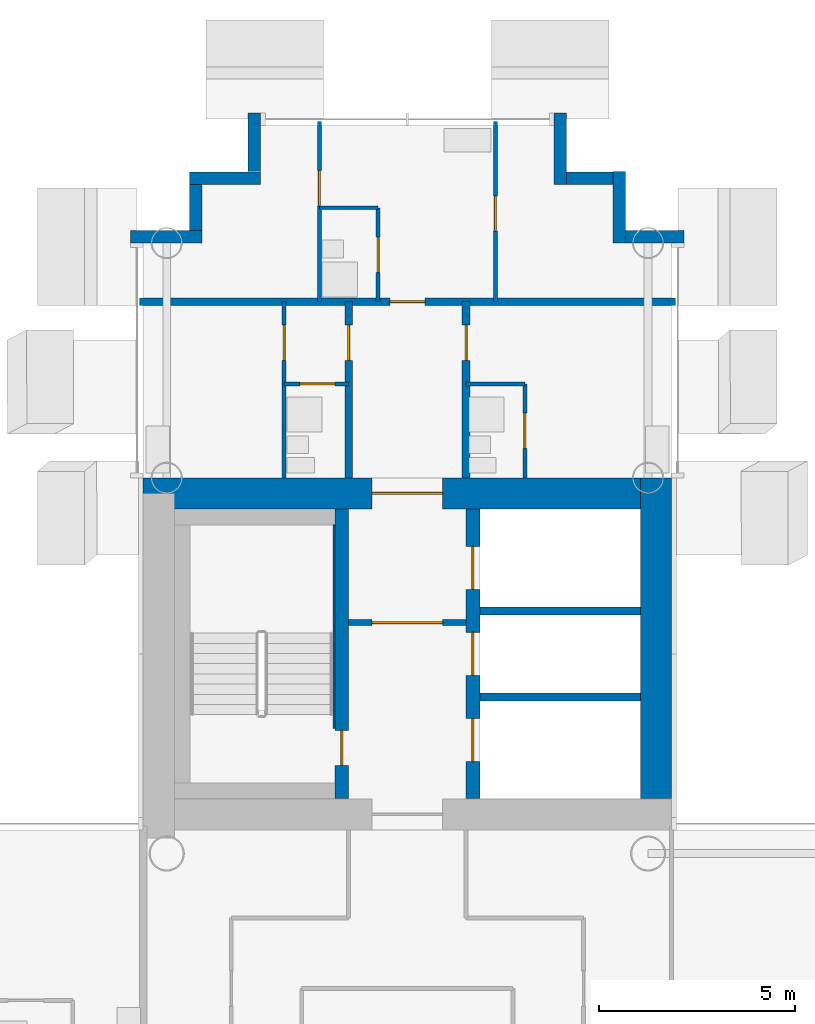
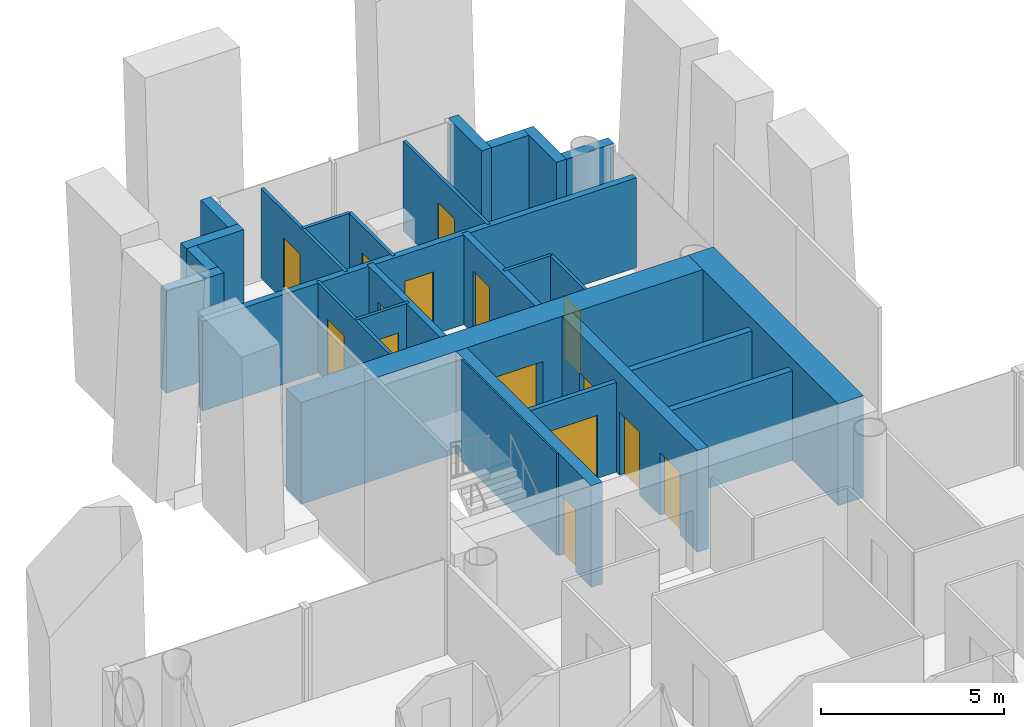
# One storey, part 11 of 18: 27 walls, 15 doors, 15 openings.
"""IFC4 building model written with IfcOpenShell, lengths in metres."""

import ifcopenshell
import ifcopenshell.guid

model = None  # the IFC model being written
_history = None  # IfcOwnerHistory: only IFC2X3 demands one
_inside = {}  # id of a spatial element -> (the spatial element, [elements in it])
_under = {}  # id of a project, library or spatial element -> (it, [spatial elements below it])
_declared = {}  # id of a project -> (the project, [libraries it declares])
_typed = {}  # id of a type object -> (the type object, [elements of that type])
_made_of = {}  # id of a material, layer set ... -> (it, [elements and type objects made of it])


def new_model(schema):
    """Start an empty IFC model of exactly this schema.

    Asked for "IFC4X3", IfcOpenShell would pick the latest addendum, in which some entities
    have other attributes; the version numbers below select the first issue.
    IFC2X3 requires an IfcOwnerHistory on every rooted entity: one is made here for all.
    """
    global model, _history
    if schema == "IFC4X3":
        model = ifcopenshell.file(schema_version=(4, 3, 0, 0))
    else:
        model = ifcopenshell.file(schema=schema)
    _inside.clear()
    _under.clear()
    _declared.clear()
    _typed.clear()
    _made_of.clear()
    _history = None
    if model.schema == "IFC2X3":
        org = make("IfcOrganization", Name="unknown")
        user = make(
            "IfcPersonAndOrganization",
            ThePerson=make("IfcPerson", FamilyName="unknown"),
            TheOrganization=org,
        )
        app = make(
            "IfcApplication",
            ApplicationDeveloper=org,
            Version="unknown",
            ApplicationFullName="unknown",
            ApplicationIdentifier="unknown",
        )
        _history = make(
            "IfcOwnerHistory",
            OwningUser=user,
            OwningApplication=app,
            ChangeAction="ADDED",
            CreationDate=0,
        )
    return model


def make(cls, **values):
    """One entity of the class cls with the attributes given. An attribute that is None is left unset."""
    return model.create_entity(
        cls, **{name: value for name, value in values.items() if value is not None}
    )


def rooted(cls, **values):
    """An entity with a GlobalId (a new one), such as an element, a storey or a relation."""
    return make(cls, GlobalId=ifcopenshell.guid.new(), OwnerHistory=_history, **values)


def si_unit(unit_type, name, prefix=None):
    """IfcSIUnit, for example si_unit("LENGTHUNIT", "METRE", prefix="MILLI")."""
    return make("IfcSIUnit", UnitType=unit_type, Prefix=prefix, Name=name)


def assignment(units):
    """IfcUnitAssignment: the units of a project."""
    return None if units is None else make("IfcUnitAssignment", Units=units)


def point(xyz):
    """IfcCartesianPoint."""
    return None if xyz is None else make("IfcCartesianPoint", Coordinates=xyz)


def direction(xyz):
    """IfcDirection."""
    return None if xyz is None else make("IfcDirection", DirectionRatios=xyz)


def frame(location, z_axis=None, x_axis=None):
    """IfcAxis2Placement3D, a coordinate frame: its origin and axes. An axis left out is left unset."""
    return make(
        "IfcAxis2Placement3D",
        Location=point(location),
        Axis=direction(z_axis),
        RefDirection=direction(x_axis),
    )


def frame_2d(location, x_axis=None):
    """IfcAxis2Placement2D, a coordinate frame in the plane: its origin and x axis."""
    return make(
        "IfcAxis2Placement2D", Location=point(location), RefDirection=direction(x_axis)
    )


def origin():
    """The frame at (0, 0, 0) with its axes left unset."""
    return frame((0.0, 0.0, 0.0))


def place(relative_to, where):
    """IfcLocalPlacement: puts the frame where relative to a parent placement (None: the world)."""
    return make(
        "IfcLocalPlacement", PlacementRelTo=relative_to, RelativePlacement=where
    )


def context(
    kind, dimensions, precision=None, world=None, true_north=None, identifier=None
):
    """IfcGeometricRepresentationContext, for example the 3D "Model" context."""
    return make(
        "IfcGeometricRepresentationContext",
        ContextIdentifier=identifier,
        ContextType=kind,
        CoordinateSpaceDimension=dimensions,
        Precision=precision,
        WorldCoordinateSystem=world,
        TrueNorth=true_north,
    )


def subcontext(parent, identifier, kind, view, scale=None):
    """IfcGeometricRepresentationSubContext, for example "Body" below "Model"."""
    return make(
        "IfcGeometricRepresentationSubContext",
        ContextIdentifier=identifier,
        ContextType=kind,
        ParentContext=parent,
        TargetScale=scale,
        TargetView=view,
    )


def project(units=None, contexts=None):
    """IfcProject with its units and contexts."""
    return rooted(
        "IfcProject",
        Name="project",
        RepresentationContexts=contexts,
        UnitsInContext=assignment(units),
    )


def spatial(cls, under=None, at=None, **own):
    """A site, building, storey or space (cls), placed at a placement, below another one or the project."""
    s = rooted(cls, ObjectPlacement=at, **own)
    if under is not None:
        _under.setdefault(under.id(), (under, []))[1].append(s)
    return s


def profile(cls, at=None, kind="AREA", **sizes):
    """A parametric profile (cls). Its sizes go by their IFC names, for example OverallWidth=200.0."""
    return make(cls, ProfileType=kind, Position=at, **sizes)


def rectangle(**sizes):
    """IfcRectangleProfileDef."""
    return profile("IfcRectangleProfileDef", **sizes)


def extrude(swept, where, along, depth):
    """IfcExtrudedAreaSolid: the profile swept, set in the frame where, extruded along a direction by depth."""
    return make(
        "IfcExtrudedAreaSolid",
        SweptArea=swept,
        Position=where,
        ExtrudedDirection=direction(along),
        Depth=depth,
    )


def shape(context_of_items, identifier, shape_type, items):
    """IfcShapeRepresentation: the items that make up one representation, for example the "Body"."""
    return make(
        "IfcShapeRepresentation",
        ContextOfItems=context_of_items,
        RepresentationIdentifier=identifier,
        RepresentationType=shape_type,
        Items=items,
    )


def material(Name=None, Category=None):
    """IfcMaterial."""
    return make("IfcMaterial", Name=Name, Category=Category)


def layer(
    of_material, thickness, ventilated=None, Name=None, Category=None, Priority=None
):
    """IfcMaterialLayer: one layer of a wall or slab, of a material (None: an air gap)."""
    return make(
        "IfcMaterialLayer",
        Material=of_material,
        LayerThickness=thickness,
        IsVentilated=ventilated,
        Name=Name,
        Category=Category,
        Priority=Priority,
    )


def layer_set(layers, Name=None):
    """IfcMaterialLayerSet."""
    return make("IfcMaterialLayerSet", MaterialLayers=layers, LayerSetName=Name)


def made_of(thing, what):
    """Note that an element or type object is made of a material, layer set ...; save() writes the relation."""
    if what is not None:
        _made_of.setdefault(what.id(), (what, []))[1].append(thing)
    return thing


def type_object(cls, material=None, **own):
    """A type object (cls), such as IfcWallType, which elements share."""
    return made_of(rooted(cls, **own), material)


def element(
    cls,
    number,
    at=None,
    inside=None,
    cuts=None,
    type_object=None,
    material=None,
    context=None,
    identifier="Body",
    shape_type=None,
    held_by="IfcProductDefinitionShape",
    body=None,
    shapes=None,
    **own,
):
    """One element of the class cls, such as IfcWall. Its Tag is "e" and its number.

    at: its placement. inside: the storey or other place that contains it. cuts: it is an
    opening in that element (IfcRelVoidsElement). A single representation is given by context,
    identifier, shape_type and body (its items); several are given by shapes. held_by: the class
    of the entity that holds the representations. save() writes the other relations.
    """
    e = rooted(cls, Tag="e%d" % number, ObjectPlacement=at, **own)
    if body is not None:
        shapes = [shape(context, identifier, shape_type, body)]
    if shapes is not None:
        e.Representation = make(held_by, Representations=shapes)
    if inside is not None:
        _inside.setdefault(inside.id(), (inside, []))[1].append(e)
    if cuts is not None:
        rooted(
            "IfcRelVoidsElement", RelatingBuildingElement=cuts, RelatedOpeningElement=e
        )
    if type_object is not None:
        _typed.setdefault(type_object.id(), (type_object, []))[1].append(e)
    return made_of(e, material)


def fill(opening, filler):
    """IfcRelFillsElement: the door or window that sits in an opening."""
    return rooted(
        "IfcRelFillsElement",
        RelatingOpeningElement=opening,
        RelatedBuildingElement=filler,
    )


def aggregate(whole, parts):
    """IfcRelAggregates: a whole, such as a stair, and the parts it consists of."""
    return rooted("IfcRelAggregates", RelatingObject=whole, RelatedObjects=parts)


def save(model, path):
    """Write the relations noted so far, then the file.

    IfcRelAggregates (storeys below a building ...), IfcRelContainedInSpatialStructure (elements
    in a storey), IfcRelDefinesByType, IfcRelAssociatesMaterial and IfcRelDeclares: one each for
    every whole, place, type object, material and project.
    """
    for whole, parts in _under.values():
        aggregate(whole, parts)
    for where, things in _inside.values():
        rooted(
            "IfcRelContainedInSpatialStructure",
            RelatedElements=things,
            RelatingStructure=where,
        )
    for kind, things in _typed.values():
        rooted("IfcRelDefinesByType", RelatedObjects=things, RelatingType=kind)
    for what, things in _made_of.values():
        rooted("IfcRelAssociatesMaterial", RelatedObjects=things, RelatingMaterial=what)
    for by, libraries in _declared.values():
        rooted("IfcRelDeclares", RelatingContext=by, RelatedDefinitions=libraries)
    model.write(path)


model = new_model("IFC4")

# Units and contexts
model_context = context("Model", 3, precision=1e-05, world=origin(), true_north=direction((0.0, 1.0)))
body_context = subcontext(model_context, "Body", "Model", "MODEL_VIEW")
ifc_project = project(units=[si_unit("LENGTHUNIT", "METRE"), si_unit("AREAUNIT", "SQUARE_METRE"), si_unit("VOLUMEUNIT", "CUBIC_METRE"), si_unit("PLANEANGLEUNIT", "RADIAN"), si_unit("MASSUNIT", "GRAM", prefix="KILO")], contexts=[model_context])

# Site, building, storey
site_placement = place(None, origin())
site = spatial("IfcSite", under=ifc_project, at=site_placement, CompositionType="ELEMENT")
building_placement = place(site_placement, origin())
building = spatial("IfcBuilding", under=site, at=building_placement, Name="Ipe Terrace Towers", CompositionType="ELEMENT")
storey_placement = place(building_placement, frame((0.0, 0.0, 171.10009765625)))
storey = spatial("IfcBuildingStorey", under=building, at=storey_placement, Name="L47", CompositionType="ELEMENT", Elevation=171.10009765625)

# Walls
ifc_material_1 = material(Name="Concrete C40/50 with buff precast cladding", Category="concrete")
ifc_layer_1 = layer(ifc_material_1, 0.320068359375)
ifc_layer_set_1 = layer_set([ifc_layer_1], Name="BUFF CLADDING WALL 320")
wall_type_1 = type_object("IfcWallType", Name="BUFF CLADDING WALL 320", PredefinedType="STANDARD", material=ifc_layer_set_1)
wall_1_placement = place(storey_placement, frame((43.070068359375, 21.909912109375, -0.300048828125), z_axis=(0.0, 0.0, 1.0), x_axis=(-1.0, 0.0, 0.0)))
element("IfcWall", 1, at=wall_1_placement, inside=storey, type_object=wall_type_1, Name="T2-W-L47-17a wall", PredefinedType="STANDARD", context=body_context, shape_type="SweptSolid", body=[
    extrude(rectangle(XDim=1.5, YDim=0.320068359375, at=frame_2d((0.75, 0.0))), origin(), (0.0, 0.0, 1.0), 3.39990234375),
])
wall_2_placement = place(storey_placement, frame((41.409912109375, 21.75, -0.300048828125), z_axis=(0.0, 0.0, 1.0), x_axis=(0.0, 1.0, 0.0)))
element("IfcWall", 2, at=wall_2_placement, inside=storey, type_object=wall_type_1, Name="T2-W-L47-18a wall", PredefinedType="STANDARD", context=body_context, shape_type="SweptSolid", body=[
    extrude(rectangle(XDim=1.820068359375, YDim=0.320068359375, at=frame_2d((0.91015625, 0.0))), origin(), (0.0, 0.0, 1.0), 3.39990234375),
])
wall_3_placement = place(storey_placement, frame((41.25, 23.409912109375, -0.300048828125), z_axis=(0.0, 0.0, 1.0), x_axis=(-1.0, 0.0, 0.0)))
element("IfcWall", 3, at=wall_3_placement, inside=storey, type_object=wall_type_1, Name="T2-W-L47-19a wall", PredefinedType="STANDARD", context=body_context, shape_type="SweptSolid", body=[
    extrude(rectangle(XDim=1.179931640625, YDim=0.320068359375, at=frame_2d((0.58984375, 0.0))), origin(), (0.0, 0.0, 1.0), 3.39990234375),
])
wall_4_placement = place(storey_placement, frame((39.909912109375, 23.25, -0.300048828125), z_axis=(0.0, 0.0, 1.0), x_axis=(0.0, 1.0, 0.0)))
element("IfcWall", 4, at=wall_4_placement, inside=storey, type_object=wall_type_1, Name="T2-W-L47-20a wall", PredefinedType="STANDARD", context=body_context, shape_type="SweptSolid", body=[
    extrude(rectangle(XDim=1.820068359375, YDim=0.320068359375, at=frame_2d((0.91015625, 0.0))), origin(), (0.0, 0.0, 1.0), 3.39990234375),
])
wall_5_placement = place(storey_placement, frame((32.090087890625, 25.070068359375, -0.300048828125), z_axis=(0.0, 0.0, 1.0), x_axis=(0.0, -1.0, 0.0)))
element("IfcWall", 5, at=wall_5_placement, inside=storey, type_object=wall_type_1, Name="T2-W-L47-22a wall", PredefinedType="STANDARD", context=body_context, shape_type="SweptSolid", body=[
    extrude(rectangle(XDim=1.5, YDim=0.320068359375, at=frame_2d((0.75, 0.0))), origin(), (0.0, 0.0, 1.0), 3.39990234375),
])
wall_6_placement = place(storey_placement, frame((32.25, 23.409912109375, -0.300048828125), z_axis=(0.0, 0.0, 1.0), x_axis=(-1.0, 0.0, 0.0)))
element("IfcWall", 6, at=wall_6_placement, inside=storey, type_object=wall_type_1, Name="T2-W-L47-23a wall", PredefinedType="STANDARD", context=body_context, shape_type="SweptSolid", body=[
    extrude(rectangle(XDim=1.820068359375, YDim=0.320068359375, at=frame_2d((0.91015625, 0.0))), origin(), (0.0, 0.0, 1.0), 3.39990234375),
])
wall_7_placement = place(storey_placement, frame((30.590087890625, 23.25, -0.300048828125), z_axis=(0.0, 0.0, 1.0), x_axis=(0.0, -1.0, 0.0)))
element("IfcWall", 7, at=wall_7_placement, inside=storey, type_object=wall_type_1, Name="T2-W-L47-24a wall", PredefinedType="STANDARD", context=body_context, shape_type="SweptSolid", body=[
    extrude(rectangle(XDim=1.179931640625, YDim=0.320068359375, at=frame_2d((0.58984375, 0.0))), origin(), (0.0, 0.0, 1.0), 3.39990234375),
])
wall_8_placement = place(storey_placement, frame((30.75, 21.909912109375, -0.300048828125), z_axis=(0.0, 0.0, 1.0), x_axis=(-1.0, 0.0, 0.0)))
element("IfcWall", 8, at=wall_8_placement, inside=storey, type_object=wall_type_1, Name="T2-W-L47-25a wall", PredefinedType="STANDARD", context=body_context, shape_type="SweptSolid", body=[
    extrude(rectangle(XDim=1.820068359375, YDim=0.320068359375, at=frame_2d((0.91015625, 0.0))), origin(), (0.0, 0.0, 1.0), 3.39990234375),
])
ifc_material_2 = material(Name="Gypsum board partition", Category="plasterboard")
ifc_layer_2 = layer(ifc_material_2, 0.10009765625)
ifc_layer_set_2 = layer_set([ifc_layer_2], Name="Gypsum board partition 100 mm")
wall_type_2 = type_object("IfcWallType", Name="Gypsum board partition 100 mm", PredefinedType="PARTITIONING", material=ifc_layer_set_2)
wall_9_placement = place(storey_placement, frame((39.0, 18.14990234375, 0.0), z_axis=(0.0, 0.0, 1.0), x_axis=(-1.0, 0.0, 0.0)))
element("IfcWall", 9, at=wall_9_placement, inside=storey, type_object=wall_type_2, Name="Gypsum board partition T2 L47 W17", PredefinedType="PARTITIONING", context=body_context, shape_type="SweptSolid", body=[
    extrude(rectangle(XDim=1.5, YDim=0.10009765625, at=frame_2d((0.75, 0.0))), origin(), (0.0, 0.0, 1.0), 3.0),
])

# Wall, opening, door
wall_10_placement = place(storey_placement, frame((34.5, 18.14990234375, 0.0), z_axis=(0.0, 0.0, 1.0), x_axis=(-1.0, 0.0, 0.0)))
wall_10 = element("IfcWall", 10, at=wall_10_placement, inside=storey, type_object=wall_type_2, Name="Gypsum board partition T2 L47 W18", PredefinedType="PARTITIONING", context=body_context, shape_type="SweptSolid", body=[
    extrude(rectangle(XDim=1.64990234375, YDim=0.10009765625, at=frame_2d((0.824951171875, 0.0))), origin(), (0.0, 0.0, 1.0), 3.0),
])
opening_1_placement = place(wall_10_placement, frame((0.35009765625, 0.0, 0.0)))
opening_1 = element("IfcOpeningElement", 11, at=opening_1_placement, cuts=wall_10, Name="Opening T2-Z3F-18", PredefinedType="OPENING", context=body_context, shape_type="SweptSolid", body=[
    extrude(rectangle(XDim=0.89990234375, YDim=2.10009765625, at=frame_2d((0.449951171875, 1.050048828125))), frame((0.0, 0.06005859375, 0.0), z_axis=(0.0, -1.0, 0.0), x_axis=(1.0, 0.0, 0.0)), (0.0, 0.0, 1.0), 0.1201171875),
])
ifc_material_3 = material(Name="Timber door leaf", Category="wood")
door_type_1 = type_object("IfcDoorType", Name="Bathroom door 900 x 2100", OperationType="NOTDEFINED", PredefinedType="DOOR", material=ifc_material_3)
door_1_placement = place(opening_1_placement, origin())
door_1 = element("IfcDoor", 12, at=door_1_placement, inside=storey, type_object=door_type_1, Name="Bathroom door T2-Z3F-18", OperationType="SINGLE_SWING_RIGHT", OverallHeight=2.10009765625, OverallWidth=0.89990234375, PredefinedType="DOOR", context=body_context, shape_type="SweptSolid", body=[
    extrude(rectangle(XDim=0.89990234375, YDim=2.10009765625, at=frame_2d((0.449951171875, 1.050048828125))), frame((0.0, 0.02490234375, 0.0), z_axis=(0.0, -1.0, 0.0), x_axis=(1.0, 0.0, 0.0)), (0.0, 0.0, 1.0), 0.050048828125),
])
fill(opening_1, door_1)

# Wall
wall_11_placement = place(storey_placement, frame((35.25, 22.64990234375, 0.0), z_axis=(0.0, 0.0, 1.0), x_axis=(-1.0, 0.0, 0.0)))
element("IfcWall", 13, at=wall_11_placement, inside=storey, type_object=wall_type_2, Name="Gypsum board partition T2 L47 W20", PredefinedType="PARTITIONING", context=body_context, shape_type="SweptSolid", body=[
    extrude(rectangle(XDim=1.5, YDim=0.10009765625, at=frame_2d((0.75, 0.0))), origin(), (0.0, 0.0, 1.0), 3.0),
])

# Wall, opening, door
wall_12_placement = place(storey_placement, frame((39.0, 15.75, 0.0), z_axis=(0.0, 0.0, 1.0), x_axis=(0.0, 1.0, 0.0)))
wall_12 = element("IfcWall", 14, at=wall_12_placement, inside=storey, type_object=wall_type_2, Name="Gypsum board partition T2 L47 W28", PredefinedType="PARTITIONING", context=body_context, shape_type="SweptSolid", body=[
    extrude(rectangle(XDim=2.39990234375, YDim=0.10009765625, at=frame_2d((1.199951171875, 0.0))), origin(), (0.0, 0.0, 1.0), 3.0),
])
opening_2_placement = place(wall_12_placement, frame((0.75, 0.0, 0.0)))
opening_2 = element("IfcOpeningElement", 15, at=opening_2_placement, cuts=wall_12, Name="Opening T2-Z3F-20", PredefinedType="OPENING", context=body_context, shape_type="SweptSolid", body=[
    extrude(rectangle(XDim=0.89990234375, YDim=2.10009765625, at=frame_2d((0.449951171875, 1.050048828125))), frame((0.0, 0.06005859375, 0.0), z_axis=(0.0, -1.0, 0.0), x_axis=(1.0, 0.0, 0.0)), (0.0, 0.0, 1.0), 0.1201171875),
])
door_2_placement = place(opening_2_placement, origin())
door_2 = element("IfcDoor", 16, at=door_2_placement, inside=storey, type_object=door_type_1, Name="Bathroom door T2-Z3F-20", OperationType="SINGLE_SWING_LEFT", OverallHeight=2.10009765625, OverallWidth=0.89990234375, PredefinedType="DOOR", context=body_context, shape_type="SweptSolid", body=[
    extrude(rectangle(XDim=0.89990234375, YDim=2.10009765625, at=frame_2d((0.449951171875, 1.050048828125))), frame((0.0, 0.02490234375, 0.0), z_axis=(0.0, -1.0, 0.0), x_axis=(1.0, 0.0, 0.0)), (0.0, 0.0, 1.0), 0.050048828125),
])
fill(opening_2, door_2)

wall_13_placement = place(storey_placement, frame((38.25, 20.25, 0.0), z_axis=(0.0, 0.0, 1.0), x_axis=(0.0, 1.0, 0.0)))
wall_13 = element("IfcWall", 17, at=wall_13_placement, inside=storey, type_object=wall_type_2, Name="Gypsum board partition T2 L47 W30", PredefinedType="PARTITIONING", context=body_context, shape_type="SweptSolid", body=[
    extrude(rectangle(XDim=4.60009765625, YDim=0.10009765625, at=frame_2d((2.300048828125, 0.0))), origin(), (0.0, 0.0, 1.0), 3.0),
])
opening_3_placement = place(wall_13_placement, frame((1.800048828125, 0.0, 0.0)))
opening_3 = element("IfcOpeningElement", 18, at=opening_3_placement, cuts=wall_13, Name="Opening T2-Z3F-24", PredefinedType="OPENING", context=body_context, shape_type="SweptSolid", body=[
    extrude(rectangle(XDim=0.89990234375, YDim=2.10009765625, at=frame_2d((0.449951171875, 1.050048828125))), frame((0.0, 0.06005859375, 0.0), z_axis=(0.0, -1.0, 0.0), x_axis=(1.0, 0.0, 0.0)), (0.0, 0.0, 1.0), 0.1201171875),
])
ifc_material_4 = material(Name="Timber door leaf", Category="wood")
door_type_2 = type_object("IfcDoorType", Name="Lounge door 900 x 2100", OperationType="NOTDEFINED", PredefinedType="DOOR", material=ifc_material_4)
door_3_placement = place(opening_3_placement, origin())
door_3 = element("IfcDoor", 19, at=door_3_placement, inside=storey, type_object=door_type_2, Name="Lounge door T2-Z3F-24", OperationType="SINGLE_SWING_LEFT", OverallHeight=2.10009765625, OverallWidth=0.89990234375, PredefinedType="DOOR", context=body_context, shape_type="SweptSolid", body=[
    extrude(rectangle(XDim=0.89990234375, YDim=2.10009765625, at=frame_2d((0.449951171875, 1.050048828125))), frame((0.0, 0.02490234375, 0.0), z_axis=(0.0, -1.0, 0.0), x_axis=(1.0, 0.0, 0.0)), (0.0, 0.0, 1.0), 0.050048828125),
])
fill(opening_3, door_3)

wall_14_placement = place(storey_placement, frame((35.25, 20.25, 0.0), z_axis=(0.0, 0.0, 1.0), x_axis=(0.0, 1.0, 0.0)))
wall_14 = element("IfcWall", 20, at=wall_14_placement, inside=storey, type_object=wall_type_2, Name="Gypsum board partition T2 L47 W34", PredefinedType="PARTITIONING", context=body_context, shape_type="SweptSolid", body=[
    extrude(rectangle(XDim=2.39990234375, YDim=0.10009765625, at=frame_2d((1.199951171875, 0.0))), origin(), (0.0, 0.0, 1.0), 3.0),
])
opening_4_placement = place(wall_14_placement, frame((0.75, 0.0, 0.0)))
opening_4 = element("IfcOpeningElement", 21, at=opening_4_placement, cuts=wall_14, Name="Opening T2-Z3F-21", PredefinedType="OPENING", context=body_context, shape_type="SweptSolid", body=[
    extrude(rectangle(XDim=0.89990234375, YDim=2.10009765625, at=frame_2d((0.449951171875, 1.050048828125))), frame((0.0, 0.06005859375, 0.0), z_axis=(0.0, -1.0, 0.0), x_axis=(1.0, 0.0, 0.0)), (0.0, 0.0, 1.0), 0.1201171875),
])
door_4_placement = place(opening_4_placement, origin())
door_4 = element("IfcDoor", 22, at=door_4_placement, inside=storey, type_object=door_type_1, Name="Bathroom door T2-Z3F-21", OperationType="SINGLE_SWING_LEFT", OverallHeight=2.10009765625, OverallWidth=0.89990234375, PredefinedType="DOOR", context=body_context, shape_type="SweptSolid", body=[
    extrude(rectangle(XDim=0.89990234375, YDim=2.10009765625, at=frame_2d((0.449951171875, 1.050048828125))), frame((0.0, 0.02490234375, 0.0), z_axis=(0.0, -1.0, 0.0), x_axis=(1.0, 0.0, 0.0)), (0.0, 0.0, 1.0), 0.050048828125),
])
fill(opening_4, door_4)

wall_15_placement = place(storey_placement, frame((33.75, 20.25, 0.0), z_axis=(0.0, 0.0, 1.0), x_axis=(0.0, 1.0, 0.0)))
wall_15 = element("IfcWall", 23, at=wall_15_placement, inside=storey, type_object=wall_type_2, Name="Gypsum board partition T2 L47 W38", PredefinedType="PARTITIONING", context=body_context, shape_type="SweptSolid", body=[
    extrude(rectangle(XDim=4.60009765625, YDim=0.10009765625, at=frame_2d((2.300048828125, 0.0))), origin(), (0.0, 0.0, 1.0), 3.0),
])
opening_5_placement = place(wall_15_placement, frame((2.449951171875, 0.0, 0.0)))
opening_5 = element("IfcOpeningElement", 24, at=opening_5_placement, cuts=wall_15, Name="Opening T2-Z3F-23", PredefinedType="OPENING", context=body_context, shape_type="SweptSolid", body=[
    extrude(rectangle(XDim=0.89990234375, YDim=2.10009765625, at=frame_2d((0.449951171875, 1.050048828125))), frame((0.0, 0.06005859375, 0.0), z_axis=(0.0, -1.0, 0.0), x_axis=(1.0, 0.0, 0.0)), (0.0, 0.0, 1.0), 0.1201171875),
])
door_5_placement = place(opening_5_placement, origin())
door_5 = element("IfcDoor", 25, at=door_5_placement, inside=storey, type_object=door_type_2, Name="Lounge door T2-Z3F-23", OperationType="SINGLE_SWING_LEFT", OverallHeight=2.10009765625, OverallWidth=0.89990234375, PredefinedType="DOOR", context=body_context, shape_type="SweptSolid", body=[
    extrude(rectangle(XDim=0.89990234375, YDim=2.10009765625, at=frame_2d((0.449951171875, 1.050048828125))), frame((0.0, 0.02490234375, 0.0), z_axis=(0.0, -1.0, 0.0), x_axis=(1.0, 0.0, 0.0)), (0.0, 0.0, 1.0), 0.050048828125),
])
fill(opening_5, door_5)

wall_16_placement = place(storey_placement, frame((32.85009765625, 15.75, 0.0), z_axis=(0.0, 0.0, 1.0), x_axis=(0.0, 1.0, 0.0)))
wall_16 = element("IfcWall", 26, at=wall_16_placement, inside=storey, type_object=wall_type_2, Name="Gypsum board partition T2 L47 W40", PredefinedType="PARTITIONING", context=body_context, shape_type="SweptSolid", body=[
    extrude(rectangle(XDim=4.5, YDim=0.10009765625, at=frame_2d((2.25, 0.0))), origin(), (0.0, 0.0, 1.0), 3.0),
])
opening_6_placement = place(wall_16_placement, frame((3.0, 0.0, 0.0)))
opening_6 = element("IfcOpeningElement", 27, at=opening_6_placement, cuts=wall_16, Name="Opening T2-Z3F-17", PredefinedType="OPENING", context=body_context, shape_type="SweptSolid", body=[
    extrude(rectangle(XDim=0.89990234375, YDim=2.10009765625, at=frame_2d((0.449951171875, 1.050048828125))), frame((0.0, 0.06005859375, 0.0), z_axis=(0.0, -1.0, 0.0), x_axis=(1.0, 0.0, 0.0)), (0.0, 0.0, 1.0), 0.1201171875),
])
ifc_material_5 = material(Name="Timber door leaf", Category="wood")
door_type_3 = type_object("IfcDoorType", Name="Bedroom door 900 x 2100", OperationType="NOTDEFINED", PredefinedType="DOOR", material=ifc_material_5)
door_6_placement = place(opening_6_placement, origin())
door_6 = element("IfcDoor", 28, at=door_6_placement, inside=storey, type_object=door_type_3, Name="Bedroom door T2-Z3F-17", OperationType="SINGLE_SWING_LEFT", OverallHeight=2.10009765625, OverallWidth=0.89990234375, PredefinedType="DOOR", context=body_context, shape_type="SweptSolid", body=[
    extrude(rectangle(XDim=0.89990234375, YDim=2.10009765625, at=frame_2d((0.449951171875, 1.050048828125))), frame((0.0, 0.02490234375, 0.0), z_axis=(0.0, -1.0, 0.0), x_axis=(1.0, 0.0, 0.0)), (0.0, 0.0, 1.0), 0.050048828125),
])
fill(opening_6, door_6)

ifc_material_6 = material(Name="Gypsum board partition", Category="plasterboard")
ifc_layer_3 = layer(ifc_material_6, 0.14990234375)
ifc_layer_set_3 = layer_set([ifc_layer_3], Name="Gypsum board partition 150 mm")
wall_type_3 = type_object("IfcWallType", Name="Gypsum board partition 150 mm", PredefinedType="PARTITIONING", material=ifc_layer_set_3)
wall_17_placement = place(storey_placement, frame((37.5, 12.050048828125, 0.0), z_axis=(0.0, 0.0, 1.0), x_axis=(-1.0, 0.0, 0.0)))
wall_17 = element("IfcWall", 29, at=wall_17_placement, inside=storey, type_object=wall_type_3, Name="Gypsum board partition T2 L47 t2c1-lobby-wall", PredefinedType="PARTITIONING", context=body_context, shape_type="SweptSolid", body=[
    extrude(rectangle(XDim=3.0, YDim=0.14990234375, at=frame_2d((1.5, 0.0))), origin(), (0.0, 0.0, 1.0), 3.0),
])
opening_7_placement = place(wall_17_placement, frame((0.60009765625, 0.0, 0.0)))
opening_7 = element("IfcOpeningElement", 30, at=opening_7_placement, cuts=wall_17, Name="Opening T2C1-VD", PredefinedType="OPENING", context=body_context, shape_type="SweptSolid", body=[
    extrude(rectangle(XDim=1.800048828125, YDim=2.10009765625, at=frame_2d((0.89990234375, 1.050048828125))), frame((0.0, 0.0849609375, 0.0), z_axis=(0.0, -1.0, 0.0), x_axis=(1.0, 0.0, 0.0)), (0.0, 0.0, 1.0), 0.169921875),
])
ifc_material_7 = material(Name="Fire-rated timber door leaf", Category="wood")
door_type_4 = type_object("IfcDoorType", Name="Lobby door 1800 x 2100 FD60", OperationType="NOTDEFINED", PredefinedType="DOOR", material=ifc_material_7)
door_7_placement = place(opening_7_placement, origin())
door_7 = element("IfcDoor", 31, at=door_7_placement, inside=storey, type_object=door_type_4, Name="Lobby door T2C1-VD", OperationType="SINGLE_SWING_LEFT", OverallHeight=2.10009765625, OverallWidth=1.800048828125, PredefinedType="DOOR", context=body_context, shape_type="SweptSolid", body=[
    extrude(rectangle(XDim=1.800048828125, YDim=2.10009765625, at=frame_2d((0.89990234375, 1.050048828125))), frame((0.0, 0.02490234375, 0.0), z_axis=(0.0, -1.0, 0.0), x_axis=(1.0, 0.0, 0.0)), (0.0, 0.0, 1.0), 0.050048828125),
])
fill(opening_7, door_7)

# Walls
ifc_material_8 = material(Name="Gypsum board party wall", Category="plasterboard")
ifc_layer_4 = layer(ifc_material_8, 0.199951171875)
ifc_layer_set_4 = layer_set([ifc_layer_4], Name="Gypsum board party wall 200 mm")
wall_type_4 = type_object("IfcWallType", Name="Gypsum board party wall 200 mm", PredefinedType="SOLIDWALL", material=ifc_layer_set_4)
for number, where, z_axis, x_axis, name in (
    (32, (41.949951171875, 10.14990234375, 0.0), (0.0, 0.0, 1.0), (-1.0, 0.0, 0.0), "Gypsum board party wall T2 L47 t2c1-shaft-div1"),
    (33, (41.949951171875, 12.35009765625, 0.0), (0.0, 0.0, 1.0), (-1.0, 0.0, 0.0), "Gypsum board party wall T2 L47 t2c1-shaft-div2"),
):
    element("IfcWall", number, at=place(storey_placement, frame(where, z_axis=z_axis, x_axis=x_axis)), inside=storey, type_object=wall_type_4, Name=name, PredefinedType="SOLIDWALL", context=body_context, shape_type="SweptSolid", body=[
        extrude(rectangle(XDim=4.099853515625, YDim=0.199951171875, at=frame_2d((2.0498046875, 0.0))), origin(), (0.0, 0.0, 1.0), 3.0),
    ])

# Wall, opening, door
wall_18_placement = place(storey_placement, frame((42.85009765625, 20.25, 0.0), z_axis=(0.0, 0.0, 1.0), x_axis=(-1.0, 0.0, 0.0)))
wall_18 = element("IfcWall", 34, at=wall_18_placement, inside=storey, type_object=wall_type_4, Name="Gypsum board party wall T2 L47 W19", PredefinedType="SOLIDWALL", context=body_context, shape_type="SweptSolid", body=[
    extrude(rectangle(XDim=13.7001953125, YDim=0.199951171875, at=frame_2d((6.85009765625, 0.0))), origin(), (0.0, 0.0, 1.0), 3.0),
])
opening_8_placement = place(wall_18_placement, frame((6.39990234375, 0.0, 0.0)))
opening_8 = element("IfcOpeningElement", 35, at=opening_8_placement, cuts=wall_18, Name="Opening T2-Z3F-22", PredefinedType="OPENING", context=body_context, shape_type="SweptSolid", body=[
    extrude(rectangle(XDim=0.89990234375, YDim=2.10009765625, at=frame_2d((0.449951171875, 1.050048828125))), frame((0.0, 0.10986328125, 0.0), z_axis=(0.0, -1.0, 0.0), x_axis=(1.0, 0.0, 0.0)), (0.0, 0.0, 1.0), 0.219970703125),
])
ifc_material_9 = material(Name="Fire-rated timber door leaf", Category="wood")
door_type_5 = type_object("IfcDoorType", Name="Flat entrance door 900 x 2100 FD30S", OperationType="NOTDEFINED", PredefinedType="DOOR", material=ifc_material_9)
door_8_placement = place(opening_8_placement, origin())
door_8 = element("IfcDoor", 36, at=door_8_placement, inside=storey, type_object=door_type_5, Name="Flat entrance door T2-Z3F-22", OperationType="SINGLE_SWING_RIGHT", OverallHeight=2.10009765625, OverallWidth=0.89990234375, PredefinedType="DOOR", context=body_context, shape_type="SweptSolid", body=[
    extrude(rectangle(XDim=0.89990234375, YDim=2.10009765625, at=frame_2d((0.449951171875, 1.050048828125))), frame((0.0, 0.02490234375, 0.0), z_axis=(0.0, -1.0, 0.0), x_axis=(1.0, 0.0, 0.0)), (0.0, 0.0, 1.0), 0.050048828125),
])
fill(opening_8, door_8)

wall_19_placement = place(storey_placement, frame((37.5, 15.75, 0.0), z_axis=(0.0, 0.0, 1.0), x_axis=(0.0, 1.0, 0.0)))
wall_19 = element("IfcWall", 37, at=wall_19_placement, inside=storey, type_object=wall_type_4, Name="Gypsum board party wall T2 L47 W33", PredefinedType="SOLIDWALL", context=body_context, shape_type="SweptSolid", body=[
    extrude(rectangle(XDim=4.5, YDim=0.199951171875, at=frame_2d((2.25, 0.0))), origin(), (0.0, 0.0, 1.0), 3.0),
])
opening_9_placement = place(wall_19_placement, frame((3.0, 0.0, 0.0)))
opening_9 = element("IfcOpeningElement", 38, at=opening_9_placement, cuts=wall_19, Name="Opening T2-Z3F-19", PredefinedType="OPENING", context=body_context, shape_type="SweptSolid", body=[
    extrude(rectangle(XDim=0.89990234375, YDim=2.10009765625, at=frame_2d((0.449951171875, 1.050048828125))), frame((0.0, 0.10986328125, 0.0), z_axis=(0.0, -1.0, 0.0), x_axis=(1.0, 0.0, 0.0)), (0.0, 0.0, 1.0), 0.219970703125),
])
door_9_placement = place(opening_9_placement, origin())
door_9 = element("IfcDoor", 39, at=door_9_placement, inside=storey, type_object=door_type_5, Name="Flat entrance door T2-Z3F-19", OperationType="SINGLE_SWING_RIGHT", OverallHeight=2.10009765625, OverallWidth=0.89990234375, PredefinedType="DOOR", context=body_context, shape_type="SweptSolid", body=[
    extrude(rectangle(XDim=0.89990234375, YDim=2.10009765625, at=frame_2d((0.449951171875, 1.050048828125))), frame((0.0, 0.02490234375, 0.0), z_axis=(0.0, -1.0, 0.0), x_axis=(1.0, 0.0, 0.0)), (0.0, 0.0, 1.0), 0.050048828125),
])
fill(opening_9, door_9)

wall_20_placement = place(storey_placement, frame((34.5, 15.75, 0.0), z_axis=(0.0, 0.0, 1.0), x_axis=(0.0, 1.0, 0.0)))
wall_20 = element("IfcWall", 40, at=wall_20_placement, inside=storey, type_object=wall_type_4, Name="Gypsum board party wall T2 L47 W37", PredefinedType="SOLIDWALL", context=body_context, shape_type="SweptSolid", body=[
    extrude(rectangle(XDim=4.5, YDim=0.199951171875, at=frame_2d((2.25, 0.0))), origin(), (0.0, 0.0, 1.0), 3.0),
])
opening_10_placement = place(wall_20_placement, frame((3.0, 0.0, 0.0)))
opening_10 = element("IfcOpeningElement", 41, at=opening_10_placement, cuts=wall_20, Name="Opening T2-Z3F-16", PredefinedType="OPENING", context=body_context, shape_type="SweptSolid", body=[
    extrude(rectangle(XDim=0.89990234375, YDim=2.10009765625, at=frame_2d((0.449951171875, 1.050048828125))), frame((0.0, 0.10986328125, 0.0), z_axis=(0.0, -1.0, 0.0), x_axis=(1.0, 0.0, 0.0)), (0.0, 0.0, 1.0), 0.219970703125),
])
door_10_placement = place(opening_10_placement, origin())
door_10 = element("IfcDoor", 42, at=door_10_placement, inside=storey, type_object=door_type_5, Name="Flat entrance door T2-Z3F-16", OperationType="SINGLE_SWING_LEFT", OverallHeight=2.10009765625, OverallWidth=0.89990234375, PredefinedType="DOOR", context=body_context, shape_type="SweptSolid", body=[
    extrude(rectangle(XDim=0.89990234375, YDim=2.10009765625, at=frame_2d((0.449951171875, 1.050048828125))), frame((0.0, 0.02490234375, 0.0), z_axis=(0.0, -1.0, 0.0), x_axis=(1.0, 0.0, 0.0)), (0.0, 0.0, 1.0), 0.050048828125),
])
fill(opening_10, door_10)

ifc_material_10 = material(Name="Concrete C50/60", Category="concrete")
ifc_layer_5 = layer(ifc_material_10, 0.35009765625)
ifc_layer_set_5 = layer_set([ifc_layer_5], Name="RW350 CORE SPINE WALL 350 C50-60")
wall_type_5 = type_object("IfcWallType", Name="RW350 CORE SPINE WALL 350 C50-60", PredefinedType="SHEAR", material=ifc_layer_set_5)
wall_21_placement = place(storey_placement, frame((34.324951171875, 7.550048828125, 0.0), z_axis=(0.0, 0.0, 1.0), x_axis=(0.0, 1.0, 0.0)))
wall_21 = element("IfcWall", 43, at=wall_21_placement, inside=storey, type_object=wall_type_5, Name="Core spine wall T2-C1-Z3-SW1", PredefinedType="SHEAR", context=body_context, shape_type="SweptSolid", body=[
    extrude(rectangle(XDim=7.39990234375, YDim=0.35009765625, at=frame_2d((3.699951171875, 0.0))), origin(), (0.0, 0.0, 1.0), 3.39990234375),
])
opening_11_placement = place(wall_21_placement, frame((0.85009765625, 0.0, 0.0)))
opening_11 = element("IfcOpeningElement", 44, at=opening_11_placement, cuts=wall_21, Name="Opening T2C1-SD", PredefinedType="OPENING", context=body_context, shape_type="SweptSolid", body=[
    extrude(rectangle(XDim=0.89990234375, YDim=2.10009765625, at=frame_2d((0.449951171875, 1.050048828125))), frame((0.0, 0.18505859375, 0.0), z_axis=(0.0, -1.0, 0.0), x_axis=(1.0, 0.0, 0.0)), (0.0, 0.0, 1.0), 0.3701171875),
])
ifc_material_11 = material(Name="Fire-rated timber door leaf", Category="wood")
door_type_6 = type_object("IfcDoorType", Name="Stair door 900 x 2100 FD60", OperationType="NOTDEFINED", PredefinedType="DOOR", material=ifc_material_11)
door_11_placement = place(opening_11_placement, origin())
door_11 = element("IfcDoor", 45, at=door_11_placement, inside=storey, type_object=door_type_6, Name="Stair door T2C1-SD", OperationType="SINGLE_SWING_LEFT", OverallHeight=2.10009765625, OverallWidth=0.89990234375, PredefinedType="DOOR", context=body_context, shape_type="SweptSolid", body=[
    extrude(rectangle(XDim=0.89990234375, YDim=2.10009765625, at=frame_2d((0.449951171875, 1.050048828125))), frame((0.0, 0.02490234375, 0.0), z_axis=(0.0, -1.0, 0.0), x_axis=(1.0, 0.0, 0.0)), (0.0, 0.0, 1.0), 0.050048828125),
])
fill(opening_11, door_11)

# Wall, openings, doors
wall_22_placement = place(storey_placement, frame((37.675048828125, 7.550048828125, 0.0), z_axis=(0.0, 0.0, 1.0), x_axis=(0.0, 1.0, 0.0)))
wall_22 = element("IfcWall", 46, at=wall_22_placement, inside=storey, type_object=wall_type_5, Name="Core spine wall T2-C1-Z3-SW2", PredefinedType="SHEAR", context=body_context, shape_type="SweptSolid", body=[
    extrude(rectangle(XDim=7.39990234375, YDim=0.35009765625, at=frame_2d((3.699951171875, 0.0))), origin(), (0.0, 0.0, 1.0), 3.39990234375),
])
opening_12_placement = place(wall_22_placement, frame((0.949951171875, 0.0, 0.0)))
opening_12 = element("IfcOpeningElement", 47, at=opening_12_placement, cuts=wall_22, Name="Opening T2C1-LD1", PredefinedType="OPENING", context=body_context, shape_type="SweptSolid", body=[
    extrude(rectangle(XDim=1.10009765625, YDim=2.10009765625, at=frame_2d((0.550048828125, 1.050048828125))), frame((0.0, 0.18505859375, 0.0), z_axis=(0.0, -1.0, 0.0), x_axis=(1.0, 0.0, 0.0)), (0.0, 0.0, 1.0), 0.3701171875),
])
opening_13_placement = place(wall_22_placement, frame((3.14990234375, 0.0, 0.0)))
opening_13 = element("IfcOpeningElement", 48, at=opening_13_placement, cuts=wall_22, Name="Opening T2C1-LD2", PredefinedType="OPENING", context=body_context, shape_type="SweptSolid", body=[
    extrude(rectangle(XDim=1.10009765625, YDim=2.10009765625, at=frame_2d((0.550048828125, 1.050048828125))), frame((0.0, 0.18505859375, 0.0), z_axis=(0.0, -1.0, 0.0), x_axis=(1.0, 0.0, 0.0)), (0.0, 0.0, 1.0), 0.3701171875),
])
opening_14_placement = place(wall_22_placement, frame((5.35009765625, 0.0, 0.0)))
opening_14 = element("IfcOpeningElement", 49, at=opening_14_placement, cuts=wall_22, Name="Opening T2C1-LD3", PredefinedType="OPENING", context=body_context, shape_type="SweptSolid", body=[
    extrude(rectangle(XDim=1.10009765625, YDim=2.10009765625, at=frame_2d((0.550048828125, 1.050048828125))), frame((0.0, 0.18505859375, 0.0), z_axis=(0.0, -1.0, 0.0), x_axis=(1.0, 0.0, 0.0)), (0.0, 0.0, 1.0), 0.3701171875),
])
ifc_material_12 = material(Name="Fire-rated timber door leaf", Category="wood")
door_type_7 = type_object("IfcDoorType", Name="Sliding door 1100 x 2100 FD60", OperationType="SLIDING_TO_LEFT", PredefinedType="DOOR", material=ifc_material_12)
door_12_placement = place(opening_12_placement, origin())
door_12 = element("IfcDoor", 50, at=door_12_placement, inside=storey, type_object=door_type_7, Name="Sliding door T2C1-LD1", OperationType="SLIDING_TO_LEFT", OverallHeight=2.10009765625, OverallWidth=1.10009765625, PredefinedType="DOOR", context=body_context, shape_type="SweptSolid", body=[
    extrude(rectangle(XDim=1.10009765625, YDim=2.10009765625, at=frame_2d((0.550048828125, 1.050048828125))), frame((0.0, 0.02490234375, 0.0), z_axis=(0.0, -1.0, 0.0), x_axis=(1.0, 0.0, 0.0)), (0.0, 0.0, 1.0), 0.050048828125),
])
fill(opening_12, door_12)
door_13_placement = place(opening_13_placement, origin())
door_13 = element("IfcDoor", 51, at=door_13_placement, inside=storey, type_object=door_type_7, Name="Sliding door T2C1-LD2", OperationType="SLIDING_TO_LEFT", OverallHeight=2.10009765625, OverallWidth=1.10009765625, PredefinedType="DOOR", context=body_context, shape_type="SweptSolid", body=[
    extrude(rectangle(XDim=1.10009765625, YDim=2.10009765625, at=frame_2d((0.550048828125, 1.050048828125))), frame((0.0, 0.02490234375, 0.0), z_axis=(0.0, -1.0, 0.0), x_axis=(1.0, 0.0, 0.0)), (0.0, 0.0, 1.0), 0.050048828125),
])
fill(opening_13, door_13)
door_14_placement = place(opening_14_placement, origin())
door_14 = element("IfcDoor", 52, at=door_14_placement, inside=storey, type_object=door_type_7, Name="Sliding door T2C1-LD3", OperationType="SLIDING_TO_LEFT", OverallHeight=2.10009765625, OverallWidth=1.10009765625, PredefinedType="DOOR", context=body_context, shape_type="SweptSolid", body=[
    extrude(rectangle(XDim=1.10009765625, YDim=2.10009765625, at=frame_2d((0.550048828125, 1.050048828125))), frame((0.0, 0.02490234375, 0.0), z_axis=(0.0, -1.0, 0.0), x_axis=(1.0, 0.0, 0.0)), (0.0, 0.0, 1.0), 0.050048828125),
])
fill(opening_14, door_14)

# Walls
ifc_material_13 = material(Name="Concrete C50/60", Category="concrete")
ifc_layer_6 = layer(ifc_material_13, 0.050048828125)
ifc_layer_set_6 = layer_set([ifc_layer_6], Name="RW50 CORE INFILL WALL 50 C50-60")
wall_type_6 = type_object("IfcWallType", Name="RW50 CORE INFILL WALL 50 C50-60", PredefinedType="SHEAR", material=ifc_layer_set_6)
wall_23_placement = place(storey_placement, frame((34.125, 9.35009765625, 0.0), z_axis=(0.0, 0.0, 1.0), x_axis=(0.0, 1.0, 0.0)))
element("IfcWall", 53, at=wall_23_placement, inside=storey, type_object=wall_type_6, Name="Core infill wall T2-C1-spine-b", PredefinedType="SHEAR", context=body_context, shape_type="SweptSolid", body=[
    extrude(rectangle(XDim=5.199951171875, YDim=0.050048828125, at=frame_2d((2.60009765625, 0.0))), origin(), (0.0, 0.0, 1.0), 3.39990234375),
])
ifc_material_14 = material(Name="Concrete C50/60", Category="concrete")
ifc_layer_7 = layer(ifc_material_14, 0.800048828125)
ifc_layer_set_7 = layer_set([ifc_layer_7], Name="RW800 CORE WALL 800 C50-60")
wall_type_7 = type_object("IfcWallType", Name="RW800 CORE WALL 800 C50-60", PredefinedType="SHEAR", material=ifc_layer_set_7)
wall_24_placement = place(storey_placement, frame((42.35009765625, 7.550048828125, 0.0), z_axis=(0.0, 0.0, 1.0), x_axis=(0.0, 1.0, 0.0)))
element("IfcWall", 54, at=wall_24_placement, inside=storey, type_object=wall_type_7, Name="Core wall T2-C1-Z3-W02", PredefinedType="SHEAR", context=body_context, shape_type="SweptSolid", body=[
    extrude(rectangle(XDim=8.199951171875, YDim=0.800048828125, at=frame_2d((4.10009765625, 0.0))), origin(), (0.0, 0.0, 1.0), 3.39990234375),
])

# Wall, opening, door
wall_25_placement = place(storey_placement, frame((41.949951171875, 15.35009765625, 0.0), z_axis=(0.0, 0.0, 1.0), x_axis=(-1.0, 0.0, 0.0)))
wall_25 = element("IfcWall", 55, at=wall_25_placement, inside=storey, type_object=wall_type_7, Name="Core wall T2-C1-Z3-W03", PredefinedType="SHEAR", context=body_context, shape_type="SweptSolid", body=[
    extrude(rectangle(XDim=12.699951171875, YDim=0.800048828125, at=frame_2d((6.35009765625, 0.0))), origin(), (0.0, 0.0, 1.0), 3.39990234375),
])
opening_15_placement = place(wall_25_placement, frame((5.050048828125, 0.0, 0.0)))
opening_15 = element("IfcOpeningElement", 56, at=opening_15_placement, cuts=wall_25, Name="Opening T2C1-FD", PredefinedType="OPENING", context=body_context, shape_type="SweptSolid", body=[
    extrude(rectangle(XDim=1.800048828125, YDim=2.10009765625, at=frame_2d((0.89990234375, 1.050048828125))), frame((0.0, 0.41015625, 0.0), z_axis=(0.0, -1.0, 0.0), x_axis=(1.0, 0.0, 0.0)), (0.0, 0.0, 1.0), 0.820068359375),
])
ifc_material_15 = material(Name="Fire-rated timber door leaf", Category="wood")
door_type_8 = type_object("IfcDoorType", Name="Fire door 1800 x 2100 FD30S", OperationType="NOTDEFINED", PredefinedType="DOOR", material=ifc_material_15)
door_15_placement = place(opening_15_placement, origin())
door_15 = element("IfcDoor", 57, at=door_15_placement, inside=storey, type_object=door_type_8, Name="Fire door T2C1-FD", OperationType="SINGLE_SWING_LEFT", OverallHeight=2.10009765625, OverallWidth=1.800048828125, PredefinedType="DOOR", context=body_context, shape_type="SweptSolid", body=[
    extrude(rectangle(XDim=1.800048828125, YDim=2.10009765625, at=frame_2d((0.89990234375, 1.050048828125))), frame((0.0, 0.02490234375, 0.0), z_axis=(0.0, -1.0, 0.0), x_axis=(1.0, 0.0, 0.0)), (0.0, 0.0, 1.0), 0.050048828125),
])
fill(opening_15, door_15)

save(model, "model.ifc")
